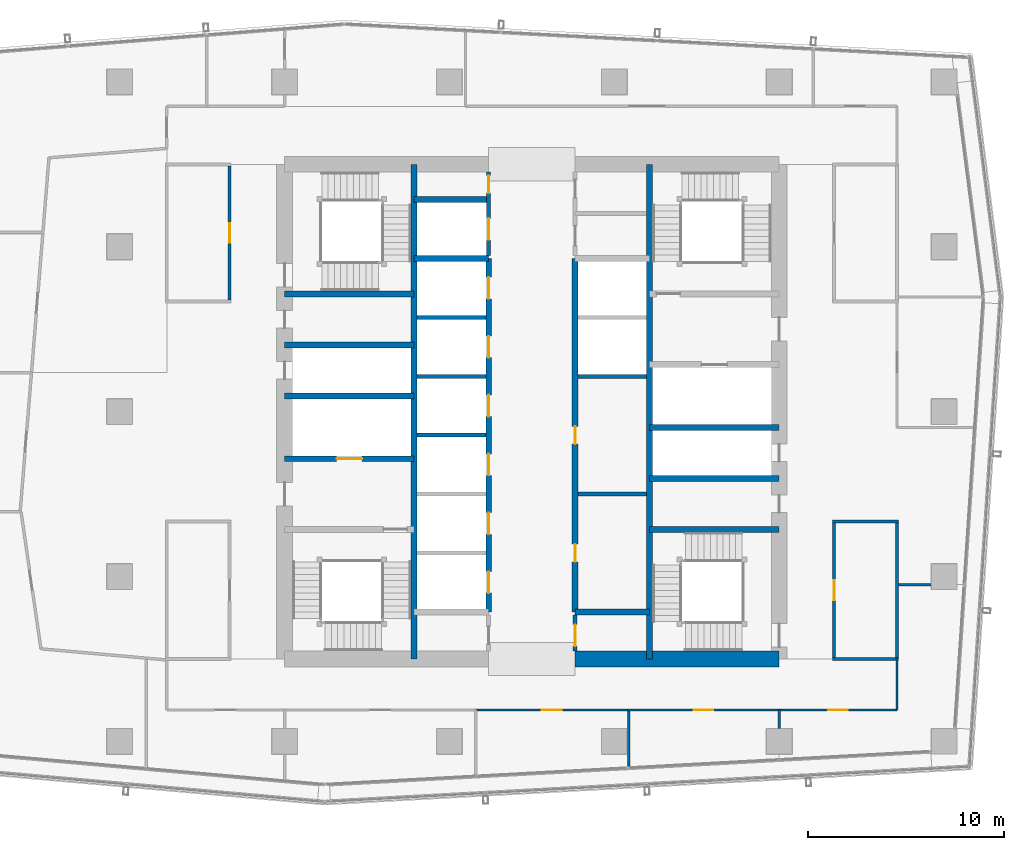
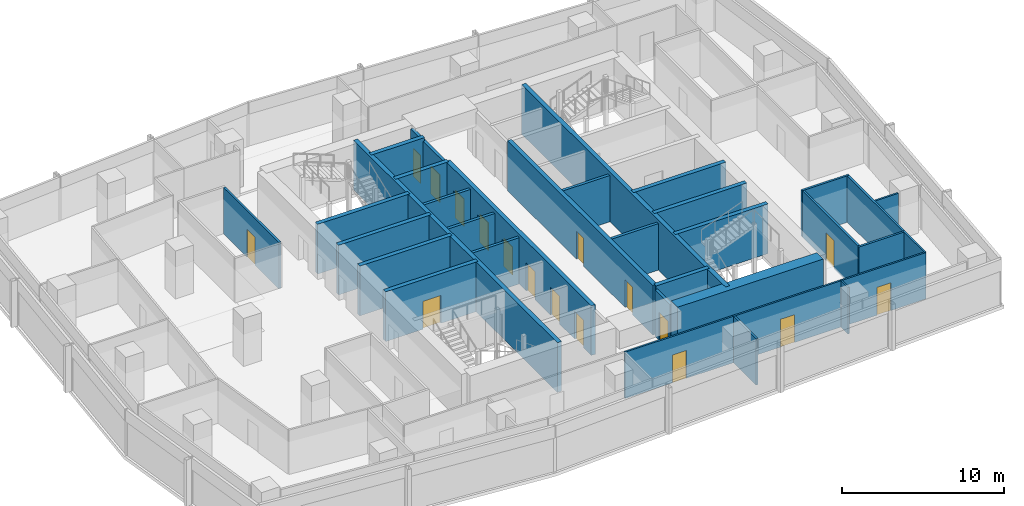
# One storey, part 23 of 30: 34 walls, 17 doors, 17 openings.
"""IFC4 building model written with IfcOpenShell, lengths in metres."""

import ifcopenshell
import ifcopenshell.guid

model = None  # the IFC model being written
_history = None  # IfcOwnerHistory: only IFC2X3 demands one
_inside = {}  # id of a spatial element -> (the spatial element, [elements in it])
_under = {}  # id of a project, library or spatial element -> (it, [spatial elements below it])
_declared = {}  # id of a project -> (the project, [libraries it declares])
_typed = {}  # id of a type object -> (the type object, [elements of that type])
_made_of = {}  # id of a material, layer set ... -> (it, [elements and type objects made of it])


def new_model(schema):
    """Start an empty IFC model of exactly this schema.

    Asked for "IFC4X3", IfcOpenShell would pick the latest addendum, in which some entities
    have other attributes; the version numbers below select the first issue.
    IFC2X3 requires an IfcOwnerHistory on every rooted entity: one is made here for all.
    """
    global model, _history
    if schema == "IFC4X3":
        model = ifcopenshell.file(schema_version=(4, 3, 0, 0))
    else:
        model = ifcopenshell.file(schema=schema)
    _inside.clear()
    _under.clear()
    _declared.clear()
    _typed.clear()
    _made_of.clear()
    _history = None
    if model.schema == "IFC2X3":
        org = make("IfcOrganization", Name="unknown")
        user = make(
            "IfcPersonAndOrganization",
            ThePerson=make("IfcPerson", FamilyName="unknown"),
            TheOrganization=org,
        )
        app = make(
            "IfcApplication",
            ApplicationDeveloper=org,
            Version="unknown",
            ApplicationFullName="unknown",
            ApplicationIdentifier="unknown",
        )
        _history = make(
            "IfcOwnerHistory",
            OwningUser=user,
            OwningApplication=app,
            ChangeAction="ADDED",
            CreationDate=0,
        )
    return model


def make(cls, **values):
    """One entity of the class cls with the attributes given. An attribute that is None is left unset."""
    return model.create_entity(
        cls, **{name: value for name, value in values.items() if value is not None}
    )


def rooted(cls, **values):
    """An entity with a GlobalId (a new one), such as an element, a storey or a relation."""
    return make(cls, GlobalId=ifcopenshell.guid.new(), OwnerHistory=_history, **values)


def si_unit(unit_type, name, prefix=None):
    """IfcSIUnit, for example si_unit("LENGTHUNIT", "METRE", prefix="MILLI")."""
    return make("IfcSIUnit", UnitType=unit_type, Prefix=prefix, Name=name)


def assignment(units):
    """IfcUnitAssignment: the units of a project."""
    return None if units is None else make("IfcUnitAssignment", Units=units)


def point(xyz):
    """IfcCartesianPoint."""
    return None if xyz is None else make("IfcCartesianPoint", Coordinates=xyz)


def direction(xyz):
    """IfcDirection."""
    return None if xyz is None else make("IfcDirection", DirectionRatios=xyz)


def frame(location, z_axis=None, x_axis=None):
    """IfcAxis2Placement3D, a coordinate frame: its origin and axes. An axis left out is left unset."""
    return make(
        "IfcAxis2Placement3D",
        Location=point(location),
        Axis=direction(z_axis),
        RefDirection=direction(x_axis),
    )


def frame_2d(location, x_axis=None):
    """IfcAxis2Placement2D, a coordinate frame in the plane: its origin and x axis."""
    return make(
        "IfcAxis2Placement2D", Location=point(location), RefDirection=direction(x_axis)
    )


def origin():
    """The frame at (0, 0, 0) with its axes left unset."""
    return frame((0.0, 0.0, 0.0))


def place(relative_to, where):
    """IfcLocalPlacement: puts the frame where relative to a parent placement (None: the world)."""
    return make(
        "IfcLocalPlacement", PlacementRelTo=relative_to, RelativePlacement=where
    )


def context(
    kind, dimensions, precision=None, world=None, true_north=None, identifier=None
):
    """IfcGeometricRepresentationContext, for example the 3D "Model" context."""
    return make(
        "IfcGeometricRepresentationContext",
        ContextIdentifier=identifier,
        ContextType=kind,
        CoordinateSpaceDimension=dimensions,
        Precision=precision,
        WorldCoordinateSystem=world,
        TrueNorth=true_north,
    )


def subcontext(parent, identifier, kind, view, scale=None):
    """IfcGeometricRepresentationSubContext, for example "Body" below "Model"."""
    return make(
        "IfcGeometricRepresentationSubContext",
        ContextIdentifier=identifier,
        ContextType=kind,
        ParentContext=parent,
        TargetScale=scale,
        TargetView=view,
    )


def project(units=None, contexts=None):
    """IfcProject with its units and contexts."""
    return rooted(
        "IfcProject",
        Name="project",
        RepresentationContexts=contexts,
        UnitsInContext=assignment(units),
    )


def spatial(cls, under=None, at=None, **own):
    """A site, building, storey or space (cls), placed at a placement, below another one or the project."""
    s = rooted(cls, ObjectPlacement=at, **own)
    if under is not None:
        _under.setdefault(under.id(), (under, []))[1].append(s)
    return s


def profile(cls, at=None, kind="AREA", **sizes):
    """A parametric profile (cls). Its sizes go by their IFC names, for example OverallWidth=200.0."""
    return make(cls, ProfileType=kind, Position=at, **sizes)


def rectangle(**sizes):
    """IfcRectangleProfileDef."""
    return profile("IfcRectangleProfileDef", **sizes)


def extrude(swept, where, along, depth):
    """IfcExtrudedAreaSolid: the profile swept, set in the frame where, extruded along a direction by depth."""
    return make(
        "IfcExtrudedAreaSolid",
        SweptArea=swept,
        Position=where,
        ExtrudedDirection=direction(along),
        Depth=depth,
    )


def shape(context_of_items, identifier, shape_type, items):
    """IfcShapeRepresentation: the items that make up one representation, for example the "Body"."""
    return make(
        "IfcShapeRepresentation",
        ContextOfItems=context_of_items,
        RepresentationIdentifier=identifier,
        RepresentationType=shape_type,
        Items=items,
    )


def material(Name=None, Category=None):
    """IfcMaterial."""
    return make("IfcMaterial", Name=Name, Category=Category)


def layer(
    of_material, thickness, ventilated=None, Name=None, Category=None, Priority=None
):
    """IfcMaterialLayer: one layer of a wall or slab, of a material (None: an air gap)."""
    return make(
        "IfcMaterialLayer",
        Material=of_material,
        LayerThickness=thickness,
        IsVentilated=ventilated,
        Name=Name,
        Category=Category,
        Priority=Priority,
    )


def layer_set(layers, Name=None):
    """IfcMaterialLayerSet."""
    return make("IfcMaterialLayerSet", MaterialLayers=layers, LayerSetName=Name)


def made_of(thing, what):
    """Note that an element or type object is made of a material, layer set ...; save() writes the relation."""
    if what is not None:
        _made_of.setdefault(what.id(), (what, []))[1].append(thing)
    return thing


def type_object(cls, material=None, **own):
    """A type object (cls), such as IfcWallType, which elements share."""
    return made_of(rooted(cls, **own), material)


def element(
    cls,
    number,
    at=None,
    inside=None,
    cuts=None,
    type_object=None,
    material=None,
    context=None,
    identifier="Body",
    shape_type=None,
    held_by="IfcProductDefinitionShape",
    body=None,
    shapes=None,
    **own,
):
    """One element of the class cls, such as IfcWall. Its Tag is "e" and its number.

    at: its placement. inside: the storey or other place that contains it. cuts: it is an
    opening in that element (IfcRelVoidsElement). A single representation is given by context,
    identifier, shape_type and body (its items); several are given by shapes. held_by: the class
    of the entity that holds the representations. save() writes the other relations.
    """
    e = rooted(cls, Tag="e%d" % number, ObjectPlacement=at, **own)
    if body is not None:
        shapes = [shape(context, identifier, shape_type, body)]
    if shapes is not None:
        e.Representation = make(held_by, Representations=shapes)
    if inside is not None:
        _inside.setdefault(inside.id(), (inside, []))[1].append(e)
    if cuts is not None:
        rooted(
            "IfcRelVoidsElement", RelatingBuildingElement=cuts, RelatedOpeningElement=e
        )
    if type_object is not None:
        _typed.setdefault(type_object.id(), (type_object, []))[1].append(e)
    return made_of(e, material)


def fill(opening, filler):
    """IfcRelFillsElement: the door or window that sits in an opening."""
    return rooted(
        "IfcRelFillsElement",
        RelatingOpeningElement=opening,
        RelatedBuildingElement=filler,
    )


def aggregate(whole, parts):
    """IfcRelAggregates: a whole, such as a stair, and the parts it consists of."""
    return rooted("IfcRelAggregates", RelatingObject=whole, RelatedObjects=parts)


def save(model, path):
    """Write the relations noted so far, then the file.

    IfcRelAggregates (storeys below a building ...), IfcRelContainedInSpatialStructure (elements
    in a storey), IfcRelDefinesByType, IfcRelAssociatesMaterial and IfcRelDeclares: one each for
    every whole, place, type object, material and project.
    """
    for whole, parts in _under.values():
        aggregate(whole, parts)
    for where, things in _inside.values():
        rooted(
            "IfcRelContainedInSpatialStructure",
            RelatedElements=things,
            RelatingStructure=where,
        )
    for kind, things in _typed.values():
        rooted("IfcRelDefinesByType", RelatedObjects=things, RelatingType=kind)
    for what, things in _made_of.values():
        rooted("IfcRelAssociatesMaterial", RelatedObjects=things, RelatingMaterial=what)
    for by, libraries in _declared.values():
        rooted("IfcRelDeclares", RelatingContext=by, RelatedDefinitions=libraries)
    model.write(path)


model = new_model("IFC4")

# Units and contexts
model_context = context("Model", 3, precision=1e-05, world=origin(), true_north=direction((0.0, 1.0)))
body_context = subcontext(model_context, "Body", "Model", "MODEL_VIEW")
ifc_project = project(units=[si_unit("LENGTHUNIT", "METRE"), si_unit("AREAUNIT", "SQUARE_METRE"), si_unit("VOLUMEUNIT", "CUBIC_METRE"), si_unit("PLANEANGLEUNIT", "RADIAN"), si_unit("MASSUNIT", "GRAM", prefix="KILO")], contexts=[model_context])

# Site, building, storey
site_placement = place(None, origin())
site = spatial("IfcSite", under=ifc_project, at=site_placement, CompositionType="ELEMENT")
building_placement = place(site_placement, origin())
building = spatial("IfcBuilding", under=site, at=building_placement, Name="Rekha Terrace Tower", CompositionType="ELEMENT")
storey_placement = place(building_placement, frame((0.0, 0.0, 272.60009765625)))
storey = spatial("IfcBuildingStorey", under=building, at=storey_placement, Name="L69", CompositionType="ELEMENT", Elevation=272.60009765625)

# Walls
ifc_material_1 = material(Name="Concrete M60", Category="concrete")
ifc_layer_1 = layer(ifc_material_1, 0.300048828125)
ifc_layer_set_1 = layer_set([ifc_layer_1], Name="Concrete M60")
wall_type_1 = type_object("IfcWallType", Name="CI5 300 core internal shear wall", PredefinedType="SHEAR", material=ifc_layer_set_1)
for number, where, z_axis, x_axis, name in (
    (1, (31.800048828125, 21.0, 0.0), (0.0, 0.0, 1.0), (0.0, 1.0, 0.0), "Core wall X318 L69"),
    (2, (43.800048828125, 21.0, 0.0), (0.0, 0.0, 1.0), (0.0, 1.0, 0.0), "Core wall X438 L69"),
):
    element("IfcWall", number, at=place(storey_placement, frame(where, z_axis=z_axis, x_axis=x_axis)), inside=storey, type_object=wall_type_1, Name=name, PredefinedType="SHEAR", context=body_context, shape_type="SweptSolid", body=[
        extrude(rectangle(XDim=25.199951171875, YDim=0.300048828125, at=frame_2d((12.60009765625, 0.0))), origin(), (0.0, 0.0, 1.0), 3.75),
    ])

# Wall, openings, doors
wall_1_placement = place(storey_placement, frame((35.60009765625, 23.39990234375, 0.0), z_axis=(0.0, 0.0, 1.0), x_axis=(0.0, 1.0, 0.0)))
wall_1 = element("IfcWall", 3, at=wall_1_placement, inside=storey, type_object=wall_type_1, Name="Core wall X356 L69", PredefinedType="SHEAR", context=body_context, shape_type="SweptSolid", body=[
    extrude(rectangle(XDim=18.0, YDim=0.300048828125, at=frame_2d((9.0, 0.0))), origin(), (0.0, 0.0, 1.0), 3.75),
])
opening_1_placement = place(wall_1_placement, frame((0.949951171875, 0.0, 0.0)))
opening_1 = element("IfcOpeningElement", 4, at=opening_1_placement, cuts=wall_1, Name="Opening LD1", PredefinedType="OPENING", context=body_context, shape_type="SweptSolid", body=[
    extrude(rectangle(XDim=1.10009765625, YDim=2.10009765625, at=frame_2d((0.550048828125, 1.050048828125))), frame((0.0, 0.159912109375, 0.0), z_axis=(0.0, -1.0, 0.0), x_axis=(1.0, 0.0, 0.0)), (0.0, 0.0, 1.0), 0.320068359375),
])
opening_2_placement = place(wall_1_placement, frame((3.949951171875, 0.0, 0.0)))
opening_2 = element("IfcOpeningElement", 5, at=opening_2_placement, cuts=wall_1, Name="Opening LD1", PredefinedType="OPENING", context=body_context, shape_type="SweptSolid", body=[
    extrude(rectangle(XDim=1.10009765625, YDim=2.10009765625, at=frame_2d((0.550048828125, 1.050048828125))), frame((0.0, 0.159912109375, 0.0), z_axis=(0.0, -1.0, 0.0), x_axis=(1.0, 0.0, 0.0)), (0.0, 0.0, 1.0), 0.320068359375),
])
opening_3_placement = place(wall_1_placement, frame((6.949951171875, 0.0, 0.0)))
opening_3 = element("IfcOpeningElement", 6, at=opening_3_placement, cuts=wall_1, Name="Opening LD1", PredefinedType="OPENING", context=body_context, shape_type="SweptSolid", body=[
    extrude(rectangle(XDim=1.10009765625, YDim=2.10009765625, at=frame_2d((0.550048828125, 1.050048828125))), frame((0.0, 0.159912109375, 0.0), z_axis=(0.0, -1.0, 0.0), x_axis=(1.0, 0.0, 0.0)), (0.0, 0.0, 1.0), 0.320068359375),
])
opening_4_placement = place(wall_1_placement, frame((9.949951171875, 0.0, 0.0)))
opening_4 = element("IfcOpeningElement", 7, at=opening_4_placement, cuts=wall_1, Name="Opening LD1", PredefinedType="OPENING", context=body_context, shape_type="SweptSolid", body=[
    extrude(rectangle(XDim=1.10009765625, YDim=2.10009765625, at=frame_2d((0.550048828125, 1.050048828125))), frame((0.0, 0.159912109375, 0.0), z_axis=(0.0, -1.0, 0.0), x_axis=(1.0, 0.0, 0.0)), (0.0, 0.0, 1.0), 0.320068359375),
])
opening_5_placement = place(wall_1_placement, frame((12.949951171875, 0.0, 0.0)))
opening_5 = element("IfcOpeningElement", 8, at=opening_5_placement, cuts=wall_1, Name="Opening LD1", PredefinedType="OPENING", context=body_context, shape_type="SweptSolid", body=[
    extrude(rectangle(XDim=1.10009765625, YDim=2.10009765625, at=frame_2d((0.550048828125, 1.050048828125))), frame((0.0, 0.159912109375, 0.0), z_axis=(0.0, -1.0, 0.0), x_axis=(1.0, 0.0, 0.0)), (0.0, 0.0, 1.0), 0.320068359375),
])
opening_6_placement = place(wall_1_placement, frame((15.949951171875, 0.0, 0.0)))
opening_6 = element("IfcOpeningElement", 9, at=opening_6_placement, cuts=wall_1, Name="Opening LD1", PredefinedType="OPENING", context=body_context, shape_type="SweptSolid", body=[
    extrude(rectangle(XDim=1.10009765625, YDim=2.10009765625, at=frame_2d((0.550048828125, 1.050048828125))), frame((0.0, 0.159912109375, 0.0), z_axis=(0.0, -1.0, 0.0), x_axis=(1.0, 0.0, 0.0)), (0.0, 0.0, 1.0), 0.320068359375),
])
ifc_material_2 = material(Name="Stainless steel sliding landing door", Category="steel")
door_type_1 = type_object("IfcDoorType", Name="LD1 1100x2100 lift landing door", OperationType="SLIDING_TO_LEFT", PredefinedType="USERDEFINED", material=ifc_material_2)
door_1_placement = place(opening_1_placement, origin())
door_1 = element("IfcDoor", 10, at=door_1_placement, inside=storey, type_object=door_type_1, Name="Lift D1 landing door L69", ObjectType="LIFT LANDING DOOR", OperationType="SLIDING_TO_LEFT", OverallHeight=2.10009765625, OverallWidth=1.10009765625, PredefinedType="USERDEFINED", context=body_context, shape_type="SweptSolid", body=[
    extrude(rectangle(XDim=1.10009765625, YDim=2.10009765625, at=frame_2d((0.550048828125, 1.050048828125))), frame((0.0, 0.02490234375, 0.0), z_axis=(0.0, -1.0, 0.0), x_axis=(1.0, 0.0, 0.0)), (0.0, 0.0, 1.0), 0.050048828125),
])
fill(opening_1, door_1)
door_2_placement = place(opening_2_placement, origin())
door_2 = element("IfcDoor", 11, at=door_2_placement, inside=storey, type_object=door_type_1, Name="Lift D2 landing door L69", ObjectType="LIFT LANDING DOOR", OperationType="SLIDING_TO_LEFT", OverallHeight=2.10009765625, OverallWidth=1.10009765625, PredefinedType="USERDEFINED", context=body_context, shape_type="SweptSolid", body=[
    extrude(rectangle(XDim=1.10009765625, YDim=2.10009765625, at=frame_2d((0.550048828125, 1.050048828125))), frame((0.0, 0.02490234375, 0.0), z_axis=(0.0, -1.0, 0.0), x_axis=(1.0, 0.0, 0.0)), (0.0, 0.0, 1.0), 0.050048828125),
])
fill(opening_2, door_2)
door_3_placement = place(opening_3_placement, origin())
door_3 = element("IfcDoor", 12, at=door_3_placement, inside=storey, type_object=door_type_1, Name="Lift D3 landing door L69", ObjectType="LIFT LANDING DOOR", OperationType="SLIDING_TO_LEFT", OverallHeight=2.10009765625, OverallWidth=1.10009765625, PredefinedType="USERDEFINED", context=body_context, shape_type="SweptSolid", body=[
    extrude(rectangle(XDim=1.10009765625, YDim=2.10009765625, at=frame_2d((0.550048828125, 1.050048828125))), frame((0.0, 0.02490234375, 0.0), z_axis=(0.0, -1.0, 0.0), x_axis=(1.0, 0.0, 0.0)), (0.0, 0.0, 1.0), 0.050048828125),
])
fill(opening_3, door_3)
door_4_placement = place(opening_4_placement, origin())
door_4 = element("IfcDoor", 13, at=door_4_placement, inside=storey, type_object=door_type_1, Name="Lift D4 landing door L69", ObjectType="LIFT LANDING DOOR", OperationType="SLIDING_TO_LEFT", OverallHeight=2.10009765625, OverallWidth=1.10009765625, PredefinedType="USERDEFINED", context=body_context, shape_type="SweptSolid", body=[
    extrude(rectangle(XDim=1.10009765625, YDim=2.10009765625, at=frame_2d((0.550048828125, 1.050048828125))), frame((0.0, 0.02490234375, 0.0), z_axis=(0.0, -1.0, 0.0), x_axis=(1.0, 0.0, 0.0)), (0.0, 0.0, 1.0), 0.050048828125),
])
fill(opening_4, door_4)
door_5_placement = place(opening_5_placement, origin())
door_5 = element("IfcDoor", 14, at=door_5_placement, inside=storey, type_object=door_type_1, Name="Lift D5 landing door L69", ObjectType="LIFT LANDING DOOR", OperationType="SLIDING_TO_LEFT", OverallHeight=2.10009765625, OverallWidth=1.10009765625, PredefinedType="USERDEFINED", context=body_context, shape_type="SweptSolid", body=[
    extrude(rectangle(XDim=1.10009765625, YDim=2.10009765625, at=frame_2d((0.550048828125, 1.050048828125))), frame((0.0, 0.02490234375, 0.0), z_axis=(0.0, -1.0, 0.0), x_axis=(1.0, 0.0, 0.0)), (0.0, 0.0, 1.0), 0.050048828125),
])
fill(opening_5, door_5)
door_6_placement = place(opening_6_placement, origin())
door_6 = element("IfcDoor", 15, at=door_6_placement, inside=storey, type_object=door_type_1, Name="Lift D6 landing door L69", ObjectType="LIFT LANDING DOOR", OperationType="SLIDING_TO_LEFT", OverallHeight=2.10009765625, OverallWidth=1.10009765625, PredefinedType="USERDEFINED", context=body_context, shape_type="SweptSolid", body=[
    extrude(rectangle(XDim=1.10009765625, YDim=2.10009765625, at=frame_2d((0.550048828125, 1.050048828125))), frame((0.0, 0.02490234375, 0.0), z_axis=(0.0, -1.0, 0.0), x_axis=(1.0, 0.0, 0.0)), (0.0, 0.0, 1.0), 0.050048828125),
])
fill(opening_6, door_6)

wall_2_placement = place(storey_placement, frame((40.0, 23.39990234375, 0.0), z_axis=(0.0, 0.0, 1.0), x_axis=(0.0, 1.0, 0.0)))
wall_2 = element("IfcWall", 16, at=wall_2_placement, inside=storey, type_object=wall_type_1, Name="Core wall X400 L69", PredefinedType="SHEAR", context=body_context, shape_type="SweptSolid", body=[
    extrude(rectangle(XDim=18.0, YDim=0.300048828125, at=frame_2d((9.0, 0.0))), origin(), (0.0, 0.0, 1.0), 3.75),
])
opening_7_placement = place(wall_2_placement, frame((2.550048828125, 0.0, 0.0)))
opening_7 = element("IfcOpeningElement", 17, at=opening_7_placement, cuts=wall_2, Name="Opening D5", PredefinedType="OPENING", context=body_context, shape_type="SweptSolid", body=[
    extrude(rectangle(XDim=0.89990234375, YDim=2.10009765625, at=frame_2d((0.449951171875, 1.050048828125))), frame((0.0, 0.159912109375, 0.0), z_axis=(0.0, -1.0, 0.0), x_axis=(1.0, 0.0, 0.0)), (0.0, 0.0, 1.0), 0.320068359375),
])
opening_8_placement = place(wall_2_placement, frame((8.550048828125, 0.0, 0.0)))
opening_8 = element("IfcOpeningElement", 18, at=opening_8_placement, cuts=wall_2, Name="Opening D5", PredefinedType="OPENING", context=body_context, shape_type="SweptSolid", body=[
    extrude(rectangle(XDim=0.89990234375, YDim=2.10009765625, at=frame_2d((0.449951171875, 1.050048828125))), frame((0.0, 0.159912109375, 0.0), z_axis=(0.0, -1.0, 0.0), x_axis=(1.0, 0.0, 0.0)), (0.0, 0.0, 1.0), 0.320068359375),
])
ifc_material_3 = material(Name="Steel fire door", Category="steel")
door_type_2 = type_object("IfcDoorType", Name="D5 900x2100 riser access door", OperationType="SINGLE_SWING_LEFT", PredefinedType="DOOR", material=ifc_material_3)
door_7_placement = place(opening_7_placement, origin())
door_7 = element("IfcDoor", 19, at=door_7_placement, inside=storey, type_object=door_type_2, Name="Door back-of-house store L69", OperationType="SINGLE_SWING_LEFT", OverallHeight=2.10009765625, OverallWidth=0.89990234375, PredefinedType="DOOR", context=body_context, shape_type="SweptSolid", body=[
    extrude(rectangle(XDim=0.89990234375, YDim=2.10009765625, at=frame_2d((0.449951171875, 1.050048828125))), frame((0.0, 0.02490234375, 0.0), z_axis=(0.0, -1.0, 0.0), x_axis=(1.0, 0.0, 0.0)), (0.0, 0.0, 1.0), 0.050048828125),
])
fill(opening_7, door_7)
door_8_placement = place(opening_8_placement, origin())
door_8 = element("IfcDoor", 20, at=door_8_placement, inside=storey, type_object=door_type_2, Name="Door back-of-house store L69", OperationType="SINGLE_SWING_LEFT", OverallHeight=2.10009765625, OverallWidth=0.89990234375, PredefinedType="DOOR", context=body_context, shape_type="SweptSolid", body=[
    extrude(rectangle(XDim=0.89990234375, YDim=2.10009765625, at=frame_2d((0.449951171875, 1.050048828125))), frame((0.0, 0.02490234375, 0.0), z_axis=(0.0, -1.0, 0.0), x_axis=(1.0, 0.0, 0.0)), (0.0, 0.0, 1.0), 0.050048828125),
])
fill(opening_8, door_8)

# Walls
for number, where, z_axis, x_axis, name in (
    (21, (31.800048828125, 41.39990234375, 0.0), (0.0, 0.0, 1.0), (1.0, 0.0, 0.0), "Core wall Y414W L69"),
    (22, (31.800048828125, 44.39990234375, 0.0), (0.0, 0.0, 1.0), (1.0, 0.0, 0.0), "Core wall Y444W L69"),
    (23, (40.0, 23.39990234375, 0.0), (0.0, 0.0, 1.0), (1.0, 0.0, 0.0), "Core wall Y234E L69"),
):
    element("IfcWall", number, at=place(storey_placement, frame(where, z_axis=z_axis, x_axis=x_axis)), inside=storey, type_object=wall_type_1, Name=name, PredefinedType="SHEAR", context=body_context, shape_type="SweptSolid", body=[
        extrude(rectangle(XDim=3.800048828125, YDim=0.300048828125, at=frame_2d((1.89990234375, 0.0))), origin(), (0.0, 0.0, 1.0), 3.75),
    ])

# Wall, opening, door
wall_3_placement = place(storey_placement, frame((25.199951171875, 31.199951171875, 0.0), z_axis=(0.0, 0.0, 1.0), x_axis=(1.0, 0.0, 0.0)))
wall_3 = element("IfcWall", 24, at=wall_3_placement, inside=storey, type_object=wall_type_1, Name="Core wall Y312W L69", PredefinedType="SHEAR", context=body_context, shape_type="SweptSolid", body=[
    extrude(rectangle(XDim=6.60009765625, YDim=0.300048828125, at=frame_2d((3.300048828125, 0.0))), origin(), (0.0, 0.0, 1.0), 3.75),
])
opening_9_placement = place(wall_3_placement, frame((2.64990234375, 0.0, 0.0)))
opening_9 = element("IfcOpeningElement", 25, at=opening_9_placement, cuts=wall_3, Name="Opening LD2", PredefinedType="OPENING", context=body_context, shape_type="SweptSolid", body=[
    extrude(rectangle(XDim=1.300048828125, YDim=2.10009765625, at=frame_2d((0.64990234375, 1.050048828125))), frame((0.0, 0.159912109375, 0.0), z_axis=(0.0, -1.0, 0.0), x_axis=(1.0, 0.0, 0.0)), (0.0, 0.0, 1.0), 0.320068359375),
])
door_type_3 = type_object("IfcDoorType", Name="LD2 1300x2100 fire lift landing door", OperationType="SLIDING_TO_LEFT", PredefinedType="USERDEFINED", material=ifc_material_2)
door_9_placement = place(opening_9_placement, origin())
door_9 = element("IfcDoor", 26, at=door_9_placement, inside=storey, type_object=door_type_3, Name="Lift FL1 landing door L69", ObjectType="LIFT LANDING DOOR", OperationType="SLIDING_TO_LEFT", OverallHeight=2.10009765625, OverallWidth=1.300048828125, PredefinedType="USERDEFINED", context=body_context, shape_type="SweptSolid", body=[
    extrude(rectangle(XDim=1.300048828125, YDim=2.10009765625, at=frame_2d((0.64990234375, 1.050048828125))), frame((0.0, 0.02490234375, 0.0), z_axis=(0.0, -1.0, 0.0), x_axis=(1.0, 0.0, 0.0)), (0.0, 0.0, 1.0), 0.050048828125),
])
fill(opening_9, door_9)

# Walls
for number, where, z_axis, x_axis, name in (
    (27, (25.199951171875, 34.39990234375, 0.0), (0.0, 0.0, 1.0), (1.0, 0.0, 0.0), "Core wall Y344W L69"),
    (28, (25.199951171875, 37.0, 0.0), (0.0, 0.0, 1.0), (1.0, 0.0, 0.0), "Core wall Y370W L69"),
    (29, (25.199951171875, 39.60009765625, 0.0), (0.0, 0.0, 1.0), (1.0, 0.0, 0.0), "Core wall Y396W L69"),
):
    element("IfcWall", number, at=place(storey_placement, frame(where, z_axis=z_axis, x_axis=x_axis)), inside=storey, type_object=wall_type_1, Name=name, PredefinedType="SHEAR", context=body_context, shape_type="SweptSolid", body=[
        extrude(rectangle(XDim=6.60009765625, YDim=0.300048828125, at=frame_2d((3.300048828125, 0.0))), origin(), (0.0, 0.0, 1.0), 3.75),
    ])
for number, where, z_axis, x_axis, name in (
    (30, (43.800048828125, 27.60009765625, 0.0), (0.0, 0.0, 1.0), (1.0, 0.0, 0.0), "Core wall Y276E L69"),
    (31, (43.800048828125, 30.199951171875, 0.0), (0.0, 0.0, 1.0), (1.0, 0.0, 0.0), "Core wall Y302E L69"),
    (32, (43.800048828125, 32.800048828125, 0.0), (0.0, 0.0, 1.0), (1.0, 0.0, 0.0), "Core wall Y328E L69"),
):
    element("IfcWall", number, at=place(storey_placement, frame(where, z_axis=z_axis, x_axis=x_axis)), inside=storey, type_object=wall_type_1, Name=name, PredefinedType="SHEAR", context=body_context, shape_type="SweptSolid", body=[
        extrude(rectangle(XDim=6.599853515625, YDim=0.300048828125, at=frame_2d((3.2998046875, 0.0))), origin(), (0.0, 0.0, 1.0), 3.75),
    ])
ifc_layer_2 = layer(ifc_material_1, 0.800048828125)
ifc_layer_set_2 = layer_set([ifc_layer_2], Name="Concrete M60")
wall_type_2 = type_object("IfcWallType", Name="SW5 800 core outer shear wall", PredefinedType="SHEAR", material=ifc_layer_set_2)
wall_4_placement = place(storey_placement, frame((40.0, 21.0, 0.0), z_axis=(0.0, 0.0, 1.0), x_axis=(1.0, 0.0, 0.0)))
element("IfcWall", 33, at=wall_4_placement, inside=storey, type_object=wall_type_2, Name="Core wall S2 L69", PredefinedType="SHEAR", context=body_context, shape_type="SweptSolid", body=[
    extrude(rectangle(XDim=10.39990234375, YDim=0.800048828125, at=frame_2d((5.199951171875, 0.0))), origin(), (0.0, 0.0, 1.0), 3.75),
])

# Wall, opening, door
ifc_material_4 = material(Name="Concrete block masonry, 1 hour", Category="masonry")
ifc_layer_3 = layer(ifc_material_4, 0.14990234375)
ifc_layer_set_3 = layer_set([ifc_layer_3], Name="Concrete block masonry, 1 hour")
wall_type_3 = type_object("IfcWallType", Name="WP2 150 tenancy partition", PredefinedType="PARTITIONING", material=ifc_layer_set_3)
wall_5_placement = place(storey_placement, frame((22.39990234375, 39.27490234375, 0.0), z_axis=(0.0, 0.0, 1.0), x_axis=(0.0, 1.0, 0.0)))
wall_5 = element("IfcWall", 34, at=wall_5_placement, inside=storey, type_object=wall_type_3, Name="Women's WC wall L69", PredefinedType="PARTITIONING", context=body_context, shape_type="SweptSolid", body=[
    extrude(rectangle(XDim=6.85009765625, YDim=0.14990234375, at=frame_2d((3.425048828125, 0.0))), origin(), (0.0, 0.0, 1.0), 3.5),
])
opening_10_placement = place(wall_5_placement, frame((2.925048828125, 0.0, 0.0)))
opening_10 = element("IfcOpeningElement", 35, at=opening_10_placement, cuts=wall_5, Name="Opening D3", PredefinedType="OPENING", context=body_context, shape_type="SweptSolid", body=[
    extrude(rectangle(XDim=1.0, YDim=2.10009765625, at=frame_2d((0.5, 1.050048828125))), frame((0.0, 0.0849609375, 0.0), z_axis=(0.0, -1.0, 0.0), x_axis=(1.0, 0.0, 0.0)), (0.0, 0.0, 1.0), 0.169921875),
])
ifc_material_5 = material(Name="Laminated timber fire door", Category="wood")
door_type_4 = type_object("IfcDoorType", Name="D3 1000x2100 WC door", OperationType="SINGLE_SWING_LEFT", PredefinedType="DOOR", material=ifc_material_5)
door_10_placement = place(opening_10_placement, origin())
door_10 = element("IfcDoor", 36, at=door_10_placement, inside=storey, type_object=door_type_4, Name="Door women's wc L69", OperationType="SINGLE_SWING_LEFT", OverallHeight=2.10009765625, OverallWidth=1.0, PredefinedType="DOOR", context=body_context, shape_type="SweptSolid", body=[
    extrude(rectangle(XDim=1.0, YDim=2.10009765625, at=frame_2d((0.5, 1.050048828125))), frame((0.0, 0.02490234375, 0.0), z_axis=(0.0, -1.0, 0.0), x_axis=(1.0, 0.0, 0.0)), (0.0, 0.0, 1.0), 0.050048828125),
])
fill(opening_10, door_10)

# Walls
for number, where, z_axis, x_axis, name in (
    (37, (53.125, 21.0, 0.0), (0.0, 0.0, 1.0), (1.0, 0.0, 0.0), "Men's WC wall L69"),
    (38, (53.125, 28.0, 0.0), (0.0, 0.0, 1.0), (1.0, 0.0, 0.0), "Men's WC wall L69"),
):
    element("IfcWall", number, at=place(storey_placement, frame(where, z_axis=z_axis, x_axis=x_axis)), inside=storey, type_object=wall_type_3, Name=name, PredefinedType="PARTITIONING", context=body_context, shape_type="SweptSolid", body=[
        extrude(rectangle(XDim=3.35009765625, YDim=0.14990234375, at=frame_2d((1.675048828125, 0.0))), origin(), (0.0, 0.0, 1.0), 3.5),
    ])

# Wall, opening, door
wall_6_placement = place(storey_placement, frame((53.199951171875, 21.074951171875, 0.0), z_axis=(0.0, 0.0, 1.0), x_axis=(0.0, 1.0, 0.0)))
wall_6 = element("IfcWall", 39, at=wall_6_placement, inside=storey, type_object=wall_type_3, Name="Men's WC wall L69", PredefinedType="PARTITIONING", context=body_context, shape_type="SweptSolid", body=[
    extrude(rectangle(XDim=6.85009765625, YDim=0.14990234375, at=frame_2d((3.425048828125, 0.0))), origin(), (0.0, 0.0, 1.0), 3.5),
])
opening_11_placement = place(wall_6_placement, frame((2.925048828125, 0.0, 0.0)))
opening_11 = element("IfcOpeningElement", 40, at=opening_11_placement, cuts=wall_6, Name="Opening D3", PredefinedType="OPENING", context=body_context, shape_type="SweptSolid", body=[
    extrude(rectangle(XDim=1.0, YDim=2.10009765625, at=frame_2d((0.5, 1.050048828125))), frame((0.0, 0.0849609375, 0.0), z_axis=(0.0, -1.0, 0.0), x_axis=(1.0, 0.0, 0.0)), (0.0, 0.0, 1.0), 0.169921875),
])
door_11_placement = place(opening_11_placement, origin())
door_11 = element("IfcDoor", 41, at=door_11_placement, inside=storey, type_object=door_type_4, Name="Door men's wc L69", OperationType="SINGLE_SWING_LEFT", OverallHeight=2.10009765625, OverallWidth=1.0, PredefinedType="DOOR", context=body_context, shape_type="SweptSolid", body=[
    extrude(rectangle(XDim=1.0, YDim=2.10009765625, at=frame_2d((0.5, 1.050048828125))), frame((0.0, 0.02490234375, 0.0), z_axis=(0.0, -1.0, 0.0), x_axis=(1.0, 0.0, 0.0)), (0.0, 0.0, 1.0), 0.050048828125),
])
fill(opening_11, door_11)

# Wall
wall_7_placement = place(storey_placement, frame((56.39990234375, 21.074951171875, 0.0), z_axis=(0.0, 0.0, 1.0), x_axis=(0.0, 1.0, 0.0)))
element("IfcWall", 42, at=wall_7_placement, inside=storey, type_object=wall_type_3, Name="Men's WC wall L69", PredefinedType="PARTITIONING", context=body_context, shape_type="SweptSolid", body=[
    extrude(rectangle(XDim=6.85009765625, YDim=0.14990234375, at=frame_2d((3.425048828125, 0.0))), origin(), (0.0, 0.0, 1.0), 3.5),
])

# Wall, opening, door
ifc_material_6 = material(Name="Two layers of fire-rated gypsum board each side on steel studs, acoustic quilt, 1 hour", Category="steel")
ifc_layer_4 = layer(ifc_material_6, 0.125)
ifc_layer_set_4 = layer_set([ifc_layer_4], Name="Two layers of fire-rated gypsum board each side on steel studs, acoustic quilt, 1 hour")
wall_type_4 = type_object("IfcWallType", Name="WP3 125 office partition", PredefinedType="PARTITIONING", material=ifc_layer_set_4)
wall_8_placement = place(storey_placement, frame((34.947998046875, 18.39990234375, 0.0), z_axis=(0.0, 0.0, 1.0), x_axis=(1.0, 0.0, 0.0)))
wall_8 = element("IfcWall", 43, at=wall_8_placement, inside=storey, type_object=wall_type_4, Name="Partition L69-08", PredefinedType="PARTITIONING", context=body_context, shape_type="SweptSolid", body=[
    extrude(rectangle(XDim=7.72509765625, YDim=0.125, at=frame_2d((3.862548828125, 0.0))), origin(), (0.0, 0.0, 1.0), 3.5),
])
opening_12_placement = place(wall_8_placement, frame((3.363037109375, 0.0, 0.0)))
opening_12 = element("IfcOpeningElement", 44, at=opening_12_placement, cuts=wall_8, Name="Opening D9", PredefinedType="OPENING", context=body_context, shape_type="SweptSolid", body=[
    extrude(rectangle(XDim=1.0, YDim=2.10009765625, at=frame_2d((0.5, 1.050048828125))), frame((0.0, 0.072509765625, 0.0), z_axis=(0.0, -1.0, 0.0), x_axis=(1.0, 0.0, 0.0)), (0.0, 0.0, 1.0), 0.14501953125),
])
ifc_material_7 = material(Name="Timber fire door", Category="wood")
door_type_5 = type_object("IfcDoorType", Name="D9 1000x2100 office door", OperationType="SINGLE_SWING_LEFT", PredefinedType="DOOR", material=ifc_material_7)
door_12_placement = place(opening_12_placement, origin())
door_12 = element("IfcDoor", 45, at=door_12_placement, inside=storey, type_object=door_type_5, Name="Door wellness room L69", OperationType="SINGLE_SWING_LEFT", OverallHeight=2.10009765625, OverallWidth=1.0, PredefinedType="DOOR", context=body_context, shape_type="SweptSolid", body=[
    extrude(rectangle(XDim=1.0, YDim=2.10009765625, at=frame_2d((0.5, 1.050048828125))), frame((0.0, 0.02490234375, 0.0), z_axis=(0.0, -1.0, 0.0), x_axis=(1.0, 0.0, 0.0)), (0.0, 0.0, 1.0), 0.050048828125),
])
fill(opening_12, door_12)

# Wall
wall_9_placement = place(storey_placement, frame((42.741943359375, 18.3369140625, 0.0), z_axis=(0.0, 0.0, 1.0), x_axis=(0.0, -1.0, 0.0)))
element("IfcWall", 46, at=wall_9_placement, inside=storey, type_object=wall_type_4, Name="Partition L69-08", PredefinedType="PARTITIONING", context=body_context, shape_type="SweptSolid", body=[
    extrude(rectangle(XDim=2.798828125, YDim=0.125, at=frame_2d((1.3994140625, 0.0))), origin(), (0.0, 0.0, 1.0), 3.5),
])

# Wall, opening, door
wall_10_placement = place(storey_placement, frame((42.674072265625, 18.39990234375, 0.0), z_axis=(0.0, 0.0, 1.0), x_axis=(1.0, 0.0, 0.0)))
wall_10 = element("IfcWall", 47, at=wall_10_placement, inside=storey, type_object=wall_type_4, Name="Partition L69-09", PredefinedType="PARTITIONING", context=body_context, shape_type="SweptSolid", body=[
    extrude(rectangle(XDim=7.725830078125, YDim=0.125, at=frame_2d((3.86279296875, 0.0))), origin(), (0.0, 0.0, 1.0), 3.5),
])
opening_13_placement = place(wall_10_placement, frame((3.363037109375, 0.0, 0.0)))
opening_13 = element("IfcOpeningElement", 48, at=opening_13_placement, cuts=wall_10, Name="Opening D9", PredefinedType="OPENING", context=body_context, shape_type="SweptSolid", body=[
    extrude(rectangle(XDim=1.0, YDim=2.10009765625, at=frame_2d((0.5, 1.050048828125))), frame((0.0, 0.072509765625, 0.0), z_axis=(0.0, -1.0, 0.0), x_axis=(1.0, 0.0, 0.0)), (0.0, 0.0, 1.0), 0.14501953125),
])
door_13_placement = place(opening_13_placement, origin())
door_13 = element("IfcDoor", 49, at=door_13_placement, inside=storey, type_object=door_type_5, Name="Door board meeting room L69", OperationType="SINGLE_SWING_LEFT", OverallHeight=2.10009765625, OverallWidth=1.0, PredefinedType="DOOR", context=body_context, shape_type="SweptSolid", body=[
    extrude(rectangle(XDim=1.0, YDim=2.10009765625, at=frame_2d((0.5, 1.050048828125))), frame((0.0, 0.02490234375, 0.0), z_axis=(0.0, -1.0, 0.0), x_axis=(1.0, 0.0, 0.0)), (0.0, 0.0, 1.0), 0.050048828125),
])
fill(opening_13, door_13)

# Walls
wall_11_placement = place(storey_placement, frame((50.39990234375, 18.39990234375, 0.0), z_axis=(0.0, 0.0, 1.0), x_axis=(0.0, -1.0, 0.0)))
element("IfcWall", 50, at=wall_11_placement, inside=storey, type_object=wall_type_4, Name="Partition L69-09", PredefinedType="PARTITIONING", context=body_context, shape_type="SweptSolid", body=[
    extrude(rectangle(XDim=0.929931640625, YDim=0.125, at=frame_2d((0.46484375, 0.0))), origin(), (0.0, 0.0, 1.0), 3.5),
])
wall_12_placement = place(storey_placement, frame((56.47509765625, 24.785888671875, 0.0), z_axis=(0.0, 0.0, 1.0), x_axis=(1.0, 0.0, 0.0)))
element("IfcWall", 51, at=wall_12_placement, inside=storey, type_object=wall_type_4, Name="Partition L69-10", PredefinedType="PARTITIONING", context=body_context, shape_type="SweptSolid", body=[
    extrude(rectangle(XDim=1.65478515625, YDim=0.125, at=frame_2d((0.827392578125, 0.0))), origin(), (0.0, 0.0, 1.0), 3.5),
])

# Wall, opening, door
wall_13_placement = place(storey_placement, frame((50.40087890625, 18.39990234375, 0.0), z_axis=(0.0, 0.0, 1.0), x_axis=(1.0, 0.0, 0.0)))
wall_13 = element("IfcWall", 52, at=wall_13_placement, inside=storey, type_object=wall_type_4, Name="Partition L69-10", PredefinedType="PARTITIONING", context=body_context, shape_type="SweptSolid", body=[
    extrude(rectangle(XDim=5.9990234375, YDim=0.125, at=frame_2d((2.99951171875, 0.0))), origin(), (0.0, 0.0, 1.0), 3.5),
])
opening_14_placement = place(wall_13_placement, frame((2.4990234375, 0.0, 0.0)))
opening_14 = element("IfcOpeningElement", 53, at=opening_14_placement, cuts=wall_13, Name="Opening D9", PredefinedType="OPENING", context=body_context, shape_type="SweptSolid", body=[
    extrude(rectangle(XDim=1.0, YDim=2.10009765625, at=frame_2d((0.5, 1.050048828125))), frame((0.0, 0.072509765625, 0.0), z_axis=(0.0, -1.0, 0.0), x_axis=(1.0, 0.0, 0.0)), (0.0, 0.0, 1.0), 0.14501953125),
])
door_14_placement = place(opening_14_placement, origin())
door_14 = element("IfcDoor", 54, at=door_14_placement, inside=storey, type_object=door_type_5, Name="Door chairman's office L69", OperationType="SINGLE_SWING_LEFT", OverallHeight=2.10009765625, OverallWidth=1.0, PredefinedType="DOOR", context=body_context, shape_type="SweptSolid", body=[
    extrude(rectangle(XDim=1.0, YDim=2.10009765625, at=frame_2d((0.5, 1.050048828125))), frame((0.0, 0.02490234375, 0.0), z_axis=(0.0, -1.0, 0.0), x_axis=(1.0, 0.0, 0.0)), (0.0, 0.0, 1.0), 0.050048828125),
])
fill(opening_14, door_14)

# Walls
wall_14_placement = place(storey_placement, frame((56.39990234375, 18.39990234375, 0.0), z_axis=(0.0, 0.0, 1.0), x_axis=(0.0, 1.0, 0.0)))
element("IfcWall", 55, at=wall_14_placement, inside=storey, type_object=wall_type_4, Name="Partition L69-10", PredefinedType="PARTITIONING", context=body_context, shape_type="SweptSolid", body=[
    extrude(rectangle(XDim=2.675048828125, YDim=0.125, at=frame_2d((1.33740234375, 0.0))), origin(), (0.0, 0.0, 1.0), 3.5),
])
ifc_material_8 = material(Name="Solid concrete block masonry, 2 hour", Category="masonry")
ifc_layer_5 = layer(ifc_material_8, 0.199951171875)
ifc_layer_set_5 = layer_set([ifc_layer_5], Name="Solid concrete block masonry, 2 hour")
wall_type_5 = type_object("IfcWallType", Name="WS1 200 stair and shaft enclosure", PredefinedType="PARTITIONING", material=ifc_layer_set_5)
for number, where, z_axis, x_axis, name in (
    (56, (31.949951171875, 32.39990234375, 0.0), (0.0, 0.0, 1.0), (1.0, 0.0, 0.0), "Lift shaft divider L69"),
    (57, (31.949951171875, 35.39990234375, 0.0), (0.0, 0.0, 1.0), (1.0, 0.0, 0.0), "Lift shaft divider L69"),
    (58, (31.949951171875, 38.39990234375, 0.0), (0.0, 0.0, 1.0), (1.0, 0.0, 0.0), "Lift shaft divider L69"),
    (59, (40.14990234375, 29.39990234375, 0.0), (0.0, 0.0, 1.0), (1.0, 0.0, 0.0), "Lift shaft divider L69"),
    (60, (40.14990234375, 35.39990234375, 0.0), (0.0, 0.0, 1.0), (1.0, 0.0, 0.0), "Lift shaft divider L69"),
):
    element("IfcWall", number, at=place(storey_placement, frame(where, z_axis=z_axis, x_axis=x_axis)), inside=storey, type_object=wall_type_5, Name=name, PredefinedType="PARTITIONING", context=body_context, shape_type="SweptSolid", body=[
        extrude(rectangle(XDim=3.5, YDim=0.199951171875, at=frame_2d((1.75, 0.0))), origin(), (0.0, 0.0, 1.0), 3.5),
    ])

# Wall, opening, door
wall_15_placement = place(storey_placement, frame((40.0, 21.39990234375, 0.0), z_axis=(0.0, 0.0, 1.0), x_axis=(0.0, 1.0, 0.0)))
wall_15 = element("IfcWall", 61, at=wall_15_placement, inside=storey, type_object=wall_type_5, Name="Core partition wca L69", PredefinedType="PARTITIONING", context=body_context, shape_type="SweptSolid", body=[
    extrude(rectangle(XDim=1.85009765625, YDim=0.199951171875, at=frame_2d((0.925048828125, 0.0))), origin(), (0.0, 0.0, 1.0), 3.5),
])
opening_15_placement = place(wall_15_placement, frame((0.25, 0.0, 0.0)))
opening_15 = element("IfcOpeningElement", 62, at=opening_15_placement, cuts=wall_15, Name="Opening D4", PredefinedType="OPENING", context=body_context, shape_type="SweptSolid", body=[
    extrude(rectangle(XDim=1.10009765625, YDim=2.10009765625, at=frame_2d((0.550048828125, 1.050048828125))), frame((0.0, 0.10986328125, 0.0), z_axis=(0.0, -1.0, 0.0), x_axis=(1.0, 0.0, 0.0)), (0.0, 0.0, 1.0), 0.219970703125),
])
door_type_6 = type_object("IfcDoorType", Name="D4 1100x2100 accessible WC door", OperationType="SLIDING_TO_LEFT", PredefinedType="DOOR", material=ifc_material_5)
door_15_placement = place(opening_15_placement, origin())
door_15 = element("IfcDoor", 63, at=door_15_placement, inside=storey, type_object=door_type_6, Name="Door wca L69", OperationType="SLIDING_TO_LEFT", OverallHeight=2.10009765625, OverallWidth=1.10009765625, PredefinedType="DOOR", context=body_context, shape_type="SweptSolid", body=[
    extrude(rectangle(XDim=1.10009765625, YDim=2.10009765625, at=frame_2d((0.550048828125, 1.050048828125))), frame((0.0, 0.02490234375, 0.0), z_axis=(0.0, -1.0, 0.0), x_axis=(1.0, 0.0, 0.0)), (0.0, 0.0, 1.0), 0.050048828125),
])
fill(opening_15, door_15)

# Wall, openings, doors
wall_16_placement = place(storey_placement, frame((35.60009765625, 41.550048828125, 0.0), z_axis=(0.0, 0.0, 1.0), x_axis=(0.0, 1.0, 0.0)))
wall_16 = element("IfcWall", 64, at=wall_16_placement, inside=storey, type_object=wall_type_5, Name="Core partition jansv L69", PredefinedType="PARTITIONING", context=body_context, shape_type="SweptSolid", body=[
    extrude(rectangle(XDim=4.25, YDim=0.199951171875, at=frame_2d((2.125, 0.0))), origin(), (0.0, 0.0, 1.0), 3.5),
])
opening_16_placement = place(wall_16_placement, frame((3.175048828125, 0.0, 0.0)))
opening_16 = element("IfcOpeningElement", 65, at=opening_16_placement, cuts=wall_16, Name="Opening D5", PredefinedType="OPENING", context=body_context, shape_type="SweptSolid", body=[
    extrude(rectangle(XDim=0.89990234375, YDim=2.10009765625, at=frame_2d((0.449951171875, 1.050048828125))), frame((0.0, 0.10986328125, 0.0), z_axis=(0.0, -1.0, 0.0), x_axis=(1.0, 0.0, 0.0)), (0.0, 0.0, 1.0), 0.219970703125),
])
opening_17_placement = place(wall_16_placement, frame((0.800048828125, 0.0, 0.0)))
opening_17 = element("IfcOpeningElement", 66, at=opening_17_placement, cuts=wall_16, Name="Opening LD1", PredefinedType="OPENING", context=body_context, shape_type="SweptSolid", body=[
    extrude(rectangle(XDim=1.10009765625, YDim=2.10009765625, at=frame_2d((0.550048828125, 1.050048828125))), frame((0.0, 0.10986328125, 0.0), z_axis=(0.0, -1.0, 0.0), x_axis=(1.0, 0.0, 0.0)), (0.0, 0.0, 1.0), 0.219970703125),
])
door_16_placement = place(opening_16_placement, origin())
door_16 = element("IfcDoor", 67, at=door_16_placement, inside=storey, type_object=door_type_2, Name="Door janitor room L69", OperationType="SINGLE_SWING_LEFT", OverallHeight=2.10009765625, OverallWidth=0.89990234375, PredefinedType="DOOR", context=body_context, shape_type="SweptSolid", body=[
    extrude(rectangle(XDim=0.89990234375, YDim=2.10009765625, at=frame_2d((0.449951171875, 1.050048828125))), frame((0.0, 0.02490234375, 0.0), z_axis=(0.0, -1.0, 0.0), x_axis=(1.0, 0.0, 0.0)), (0.0, 0.0, 1.0), 0.050048828125),
])
fill(opening_16, door_16)
door_17_placement = place(opening_17_placement, origin())
door_17 = element("IfcDoor", 68, at=door_17_placement, inside=storey, type_object=door_type_1, Name="Lift SV1 landing door L69", ObjectType="LIFT LANDING DOOR", OperationType="SLIDING_TO_LEFT", OverallHeight=2.10009765625, OverallWidth=1.10009765625, PredefinedType="USERDEFINED", context=body_context, shape_type="SweptSolid", body=[
    extrude(rectangle(XDim=1.10009765625, YDim=2.10009765625, at=frame_2d((0.550048828125, 1.050048828125))), frame((0.0, 0.02490234375, 0.0), z_axis=(0.0, -1.0, 0.0), x_axis=(1.0, 0.0, 0.0)), (0.0, 0.0, 1.0), 0.050048828125),
])
fill(opening_17, door_17)

save(model, "model.ifc")
